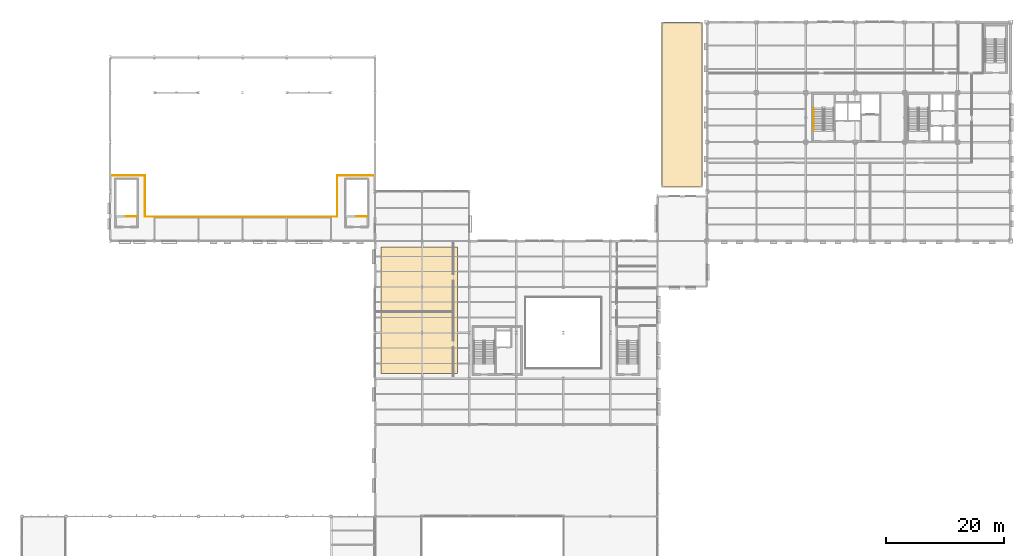
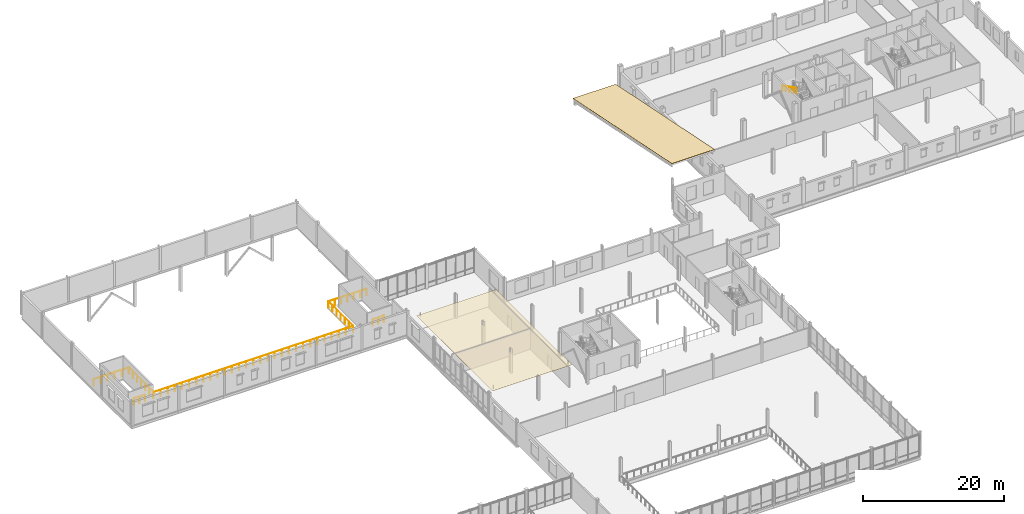
# One storey, part 74 of 75: 4 railings, 2 coverings.
"""IFC4 building model written with IfcOpenShell, lengths in metres."""

from ifc_helpers import new_model, si_unit, direction, frame, origin, origin_2d, place, context, subcontext, project, spatial, polyline, circle, outline, extrude, material, layer, layer_set, type_object, element, save


model = new_model("IFC4")

# Units and contexts
model_context = context("Model", 3, precision=1e-05, world=origin(), true_north=direction((0.0, 1.0)))
body_context = subcontext(model_context, "Body", "Model", "MODEL_VIEW")
ifc_project = project(units=[si_unit("LENGTHUNIT", "METRE"), si_unit("AREAUNIT", "SQUARE_METRE"), si_unit("VOLUMEUNIT", "CUBIC_METRE"), si_unit("PLANEANGLEUNIT", "RADIAN"), si_unit("MASSUNIT", "GRAM", prefix="KILO")], contexts=[model_context])

# Site, building, storey
site_placement = place(None, origin())
site = spatial("IfcSite", under=ifc_project, at=site_placement, CompositionType="ELEMENT")
building_placement = place(site_placement, origin())
building = spatial("IfcBuilding", under=site, at=building_placement, Name="Yukiwa Park Conservatory and Herbarium", CompositionType="ELEMENT")
storey_placement = place(building_placement, frame((0.0, 0.0, 4.800048828125)))
storey = spatial("IfcBuildingStorey", under=building, at=storey_placement, Name="L01", CompositionType="ELEMENT", Elevation=4.800048828125)

# Coverings
ifc_material_1 = material(Name="Acoustic Mineral Fibre Ceiling")
ifc_layer_1 = layer(ifc_material_1, 0.030029296875)
ifc_layer_set_1 = layer_set([ifc_layer_1], Name="Acoustic Mineral Fibre Ceiling")
covering_type_1 = type_object("IfcCoveringType", Name="COV-CEIL-ACOUSTIC", PredefinedType="CEILING", material=ifc_layer_set_1)
covering_1_placement = place(storey_placement, frame((0.0, 0.0, 3.349853515625)))
element("IfcCovering", 1, at=covering_1_placement, inside=storey, type_object=covering_type_1, Name="L01 acoustic suspended ceiling CLG-L01-CLS", PredefinedType="CEILING", context=body_context, shape_type="SweptSolid", body=[
    extrude(outline(polyline([(61.0, 55.5), (74.0, 55.5), (74.0, 77.0), (61.0, 77.0), (61.0, 55.5)])), origin(), (0.0, 0.0, 1.0), 0.030029296875),
])
ifc_material_2 = material(Name="Roofing Membrane and PIR Insulation")
ifc_layer_2 = layer(ifc_material_2, 0.0400390625)
ifc_layer_set_2 = layer_set([ifc_layer_2], Name="Roofing Membrane and PIR Insulation")
covering_type_2 = type_object("IfcCoveringType", Name="COV-ROOF-MEMBRANE", PredefinedType="ROOFING", material=ifc_layer_set_2)
covering_2_placement = place(storey_placement, frame((108.64990234375, 87.14990234375, 6.86279296875), z_axis=(0.0, 0.199365927554, 0.97992511292), x_axis=(1.0, 0.0, 0.0)))
element("IfcCovering", 2, at=covering_2_placement, inside=storey, type_object=covering_type_2, Name="North Service Portal Canopy insulated standing-seam roof covering", PredefinedType="ROOFING", context=body_context, shape_type="SweptSolid", body=[
    extrude(outline(polyline([(0.0, 0.0), (7.0, 0.0), (7.0, 28.624686170715048), (0.0, 28.624686170715048), (0.0, 0.0)])), origin(), (0.0, 0.0, -1.0), 0.0400390625),
])

# Railings
ifc_material_3 = material(Name="Steel Q235B", Category="steel")
ifc_layer_3 = layer(ifc_material_3, 0.050048828125)
ifc_layer_set_3 = layer_set([ifc_layer_3], Name="Steel Q235B")
railing_type_1 = type_object("IfcRailingType", Name="RL-STAIR-GUARD-1120", PredefinedType="BALUSTRADE", material=ifc_layer_set_3)
railing_1_placement = place(storey_placement, frame((19.550048828125, 82.14990234375, 0.0)))
element("IfcRailing", 3, at=railing_1_placement, inside=storey, type_object=railing_type_1, Name="L01 ST-A1 top well guard 1", PredefinedType="BALUSTRADE", context=body_context, shape_type="SweptSolid", body=[
    extrude(circle(Radius=0.02392578125, at=origin_2d()), frame((0.0, 0.0, 1.09619140625), z_axis=(-1.0, 0.0, 0.0), x_axis=(0.0, -1.0, 0.0)), (0.0, 0.0, 1.0), 1.85009765625),
    extrude(circle(Radius=0.02099609375, at=origin_2d()), origin(), (0.0, 0.0, 1.0), 1.072021484375),
    extrude(circle(Radius=0.02099609375, at=origin_2d()), frame((-0.925048828125, 0.0, 0.0)), (0.0, 0.0, 1.0), 1.072021484375),
    extrude(circle(Radius=0.02099609375, at=origin_2d()), frame((-1.85009765625, 0.0, 0.0)), (0.0, 0.0, 1.0), 1.072021484375),
])
railing_2_placement = place(storey_placement, frame((58.64990234375, 82.14990234375, 0.0)))
element("IfcRailing", 4, at=railing_2_placement, inside=storey, type_object=railing_type_1, Name="L01 ST-A2 top well guard 1", PredefinedType="BALUSTRADE", context=body_context, shape_type="SweptSolid", body=[
    extrude(circle(Radius=0.02392578125, at=origin_2d()), frame((0.0, 0.0, 1.09619140625), z_axis=(-1.0, 0.0, 0.0), x_axis=(0.0, -1.0, 0.0)), (0.0, 0.0, 1.0), 1.849853515625),
    extrude(circle(Radius=0.02099609375, at=origin_2d()), origin(), (0.0, 0.0, 1.0), 1.072021484375),
    extrude(circle(Radius=0.02099609375, at=origin_2d()), frame((-0.9248046875, 0.0, 0.0)), (0.0, 0.0, 1.0), 1.072021484375),
    extrude(circle(Radius=0.02099609375, at=origin_2d()), frame((-1.849853515625, 0.0, 0.0)), (0.0, 0.0, 1.0), 1.072021484375),
])
ifc_material_4 = material(Name="Steel Q235B", Category="steel")
ifc_layer_4 = layer(ifc_material_4, 0.044921875)
ifc_layer_set_4 = layer_set([ifc_layer_4], Name="Steel Q235B")
railing_type_2 = type_object("IfcRailingType", Name="RL-STAIR-RAIL-900", PredefinedType="HANDRAIL", material=ifc_layer_set_4)
railing_3_placement = place(storey_placement, frame((134.5400390625, 100.6298828125, 2.25)))
element("IfcRailing", 5, at=railing_3_placement, inside=storey, type_object=railing_type_2, Name="L01 ST-T1 stair handrail 2", PredefinedType="HANDRAIL", context=body_context, shape_type="SweptSolid", body=[
    extrude(circle(Radius=0.02392578125, at=origin_2d()), frame((0.0, 0.0, 0.8759765625), z_axis=(0.0, -0.894427191, 0.4472135955), x_axis=(1.0, 0.0, 0.0)), (0.0, 0.0, 1.0), 4.360107421875),
    extrude(circle(Radius=0.02099609375, at=origin_2d()), origin(), (0.0, 0.0, 1.0), 0.851806640625),
    extrude(circle(Radius=0.02099609375, at=origin_2d()), frame((0.0, -0.97509765625, 0.487548828125)), (0.0, 0.0, 1.0), 0.851806640625),
    extrude(circle(Radius=0.02099609375, at=origin_2d()), frame((0.0, -1.949951171875, 0.97509765625)), (0.0, 0.0, 1.0), 0.851806640625),
    extrude(circle(Radius=0.02099609375, at=origin_2d()), frame((0.0, -2.9248046875, 1.46240234375)), (0.0, 0.0, 1.0), 0.851806640625),
    extrude(circle(Radius=0.02099609375, at=origin_2d()), frame((0.0, -3.89990234375, 1.949951171875)), (0.0, 0.0, 1.0), 0.851806640625),
])
ifc_material_5 = material(Name="Laminated Tempered Safety Glass", Category="glass")
ifc_layer_5 = layer(ifc_material_5, 0.06005859375)
ifc_layer_set_5 = layer_set([ifc_layer_5], Name="Laminated Tempered Safety Glass")
railing_type_3 = type_object("IfcRailingType", Name="RL-VOID-GUARD-1120", PredefinedType="BALUSTRADE", material=ifc_layer_set_5)
railing_4_placement = place(storey_placement, frame((15.14990234375, 89.1201171875, 0.0)))
element("IfcRailing", 6, at=railing_4_placement, inside=storey, type_object=railing_type_3, Name="L01 interior atrium and mezzanine balustrade RL-INT-L01-AUDBALC", PredefinedType="BALUSTRADE", context=body_context, shape_type="SweptSolid", body=[
    extrude(circle(Radius=0.02392578125, at=origin_2d()), frame((0.0, 0.0, 1.09619140625), z_axis=(1.0, 0.0, 0.0), x_axis=(0.0, 1.0, 0.0)), (0.0, 0.0, 1.0), 5.77001953125),
    extrude(circle(Radius=0.02392578125, at=origin_2d()), frame((5.77001953125, 0.0, 1.09619140625), z_axis=(0.0, -1.0, 0.0), x_axis=(1.0, 0.0, 0.0)), (0.0, 0.0, 1.0), 7.0),
    extrude(circle(Radius=0.02392578125, at=origin_2d()), frame((5.77001953125, -7.0, 1.09619140625), z_axis=(1.0, 0.0, 0.0), x_axis=(0.0, 1.0, 0.0)), (0.0, 0.0, 1.0), 32.66015625),
    extrude(circle(Radius=0.02392578125, at=origin_2d()), frame((38.43017578125, -7.0, 1.09619140625), z_axis=(0.0, 1.0, 0.0), x_axis=(-1.0, 0.0, 0.0)), (0.0, 0.0, 1.0), 7.0),
    extrude(circle(Radius=0.02392578125, at=origin_2d()), frame((38.43017578125, 0.0, 1.09619140625), z_axis=(1.0, 0.0, 0.0), x_axis=(0.0, 1.0, 0.0)), (0.0, 0.0, 1.0), 6.27001953125),
    extrude(circle(Radius=0.02099609375, at=origin_2d()), origin(), (0.0, 0.0, 1.0), 1.072021484375),
    extrude(circle(Radius=0.02099609375, at=origin_2d()), frame((1.154052734375, 0.0, 0.0)), (0.0, 0.0, 1.0), 1.072021484375),
    extrude(circle(Radius=0.02099609375, at=origin_2d()), frame((2.30810546875, 0.0, 0.0)), (0.0, 0.0, 1.0), 1.072021484375),
    extrude(circle(Radius=0.02099609375, at=origin_2d()), frame((3.4619140625, 0.0, 0.0)), (0.0, 0.0, 1.0), 1.072021484375),
    extrude(circle(Radius=0.02099609375, at=origin_2d()), frame((4.615966796875, 0.0, 0.0)), (0.0, 0.0, 1.0), 1.072021484375),
    extrude(circle(Radius=0.02099609375, at=origin_2d()), frame((5.77001953125, 0.0, 0.0)), (0.0, 0.0, 1.0), 1.072021484375),
    extrude(circle(Radius=0.02099609375, at=origin_2d()), frame((5.77001953125, -1.166748046875, 0.0)), (0.0, 0.0, 1.0), 1.072021484375),
    extrude(circle(Radius=0.02099609375, at=origin_2d()), frame((5.77001953125, -2.333251953125, 0.0)), (0.0, 0.0, 1.0), 1.072021484375),
    extrude(circle(Radius=0.02099609375, at=origin_2d()), frame((5.77001953125, -3.5, 0.0)), (0.0, 0.0, 1.0), 1.072021484375),
    extrude(circle(Radius=0.02099609375, at=origin_2d()), frame((5.77001953125, -4.666748046875, 0.0)), (0.0, 0.0, 1.0), 1.072021484375),
    extrude(circle(Radius=0.02099609375, at=origin_2d()), frame((5.77001953125, -5.833251953125, 0.0)), (0.0, 0.0, 1.0), 1.072021484375),
    extrude(circle(Radius=0.02099609375, at=origin_2d()), frame((5.77001953125, -7.0, 0.0)), (0.0, 0.0, 1.0), 1.072021484375),
    extrude(circle(Radius=0.02099609375, at=origin_2d()), frame((6.9365234375, -7.0, 0.0)), (0.0, 0.0, 1.0), 1.072021484375),
    extrude(circle(Radius=0.02099609375, at=origin_2d()), frame((8.102783203125, -7.0, 0.0)), (0.0, 0.0, 1.0), 1.072021484375),
    extrude(circle(Radius=0.02099609375, at=origin_2d()), frame((9.269287109375, -7.0, 0.0)), (0.0, 0.0, 1.0), 1.072021484375),
    extrude(circle(Radius=0.02099609375, at=origin_2d()), frame((10.435791015625, -7.0, 0.0)), (0.0, 0.0, 1.0), 1.072021484375),
    extrude(circle(Radius=0.02099609375, at=origin_2d()), frame((11.602294921875, -7.0, 0.0)), (0.0, 0.0, 1.0), 1.072021484375),
    extrude(circle(Radius=0.02099609375, at=origin_2d()), frame((12.7685546875, -7.0, 0.0)), (0.0, 0.0, 1.0), 1.072021484375),
    extrude(circle(Radius=0.02099609375, at=origin_2d()), frame((13.93505859375, -7.0, 0.0)), (0.0, 0.0, 1.0), 1.072021484375),
    extrude(circle(Radius=0.02099609375, at=origin_2d()), frame((15.1015625, -7.0, 0.0)), (0.0, 0.0, 1.0), 1.072021484375),
    extrude(circle(Radius=0.02099609375, at=origin_2d()), frame((16.267822265625, -7.0, 0.0)), (0.0, 0.0, 1.0), 1.072021484375),
    extrude(circle(Radius=0.02099609375, at=origin_2d()), frame((17.434326171875, -7.0, 0.0)), (0.0, 0.0, 1.0), 1.072021484375),
    extrude(circle(Radius=0.02099609375, at=origin_2d()), frame((18.600830078125, -7.0, 0.0)), (0.0, 0.0, 1.0), 1.072021484375),
    extrude(circle(Radius=0.02099609375, at=origin_2d()), frame((19.767333984375, -7.0, 0.0)), (0.0, 0.0, 1.0), 1.072021484375),
    extrude(circle(Radius=0.02099609375, at=origin_2d()), frame((20.93359375, -7.0, 0.0)), (0.0, 0.0, 1.0), 1.072021484375),
    extrude(circle(Radius=0.02099609375, at=origin_2d()), frame((22.10009765625, -7.0, 0.0)), (0.0, 0.0, 1.0), 1.072021484375),
    extrude(circle(Radius=0.02099609375, at=origin_2d()), frame((23.2666015625, -7.0, 0.0)), (0.0, 0.0, 1.0), 1.072021484375),
    extrude(circle(Radius=0.02099609375, at=origin_2d()), frame((24.432861328125, -7.0, 0.0)), (0.0, 0.0, 1.0), 1.072021484375),
    extrude(circle(Radius=0.02099609375, at=origin_2d()), frame((25.599365234375, -7.0, 0.0)), (0.0, 0.0, 1.0), 1.072021484375),
    extrude(circle(Radius=0.02099609375, at=origin_2d()), frame((26.765869140625, -7.0, 0.0)), (0.0, 0.0, 1.0), 1.072021484375),
    extrude(circle(Radius=0.02099609375, at=origin_2d()), frame((27.932373046875, -7.0, 0.0)), (0.0, 0.0, 1.0), 1.072021484375),
    extrude(circle(Radius=0.02099609375, at=origin_2d()), frame((29.0986328125, -7.0, 0.0)), (0.0, 0.0, 1.0), 1.072021484375),
    extrude(circle(Radius=0.02099609375, at=origin_2d()), frame((30.26513671875, -7.0, 0.0)), (0.0, 0.0, 1.0), 1.072021484375),
    extrude(circle(Radius=0.02099609375, at=origin_2d()), frame((31.431640625, -7.0, 0.0)), (0.0, 0.0, 1.0), 1.072021484375),
    extrude(circle(Radius=0.02099609375, at=origin_2d()), frame((32.597900390625, -7.0, 0.0)), (0.0, 0.0, 1.0), 1.072021484375),
    extrude(circle(Radius=0.02099609375, at=origin_2d()), frame((33.764404296875, -7.0, 0.0)), (0.0, 0.0, 1.0), 1.072021484375),
    extrude(circle(Radius=0.02099609375, at=origin_2d()), frame((34.930908203125, -7.0, 0.0)), (0.0, 0.0, 1.0), 1.072021484375),
    extrude(circle(Radius=0.02099609375, at=origin_2d()), frame((36.097412109375, -7.0, 0.0)), (0.0, 0.0, 1.0), 1.072021484375),
    extrude(circle(Radius=0.02099609375, at=origin_2d()), frame((37.263671875, -7.0, 0.0)), (0.0, 0.0, 1.0), 1.072021484375),
    extrude(circle(Radius=0.02099609375, at=origin_2d()), frame((38.43017578125, -7.0, 0.0)), (0.0, 0.0, 1.0), 1.072021484375),
    extrude(circle(Radius=0.02099609375, at=origin_2d()), frame((38.43017578125, -5.833251953125, 0.0)), (0.0, 0.0, 1.0), 1.072021484375),
    extrude(circle(Radius=0.02099609375, at=origin_2d()), frame((38.43017578125, -4.666748046875, 0.0)), (0.0, 0.0, 1.0), 1.072021484375),
    extrude(circle(Radius=0.02099609375, at=origin_2d()), frame((38.43017578125, -3.5, 0.0)), (0.0, 0.0, 1.0), 1.072021484375),
    extrude(circle(Radius=0.02099609375, at=origin_2d()), frame((38.43017578125, -2.333251953125, 0.0)), (0.0, 0.0, 1.0), 1.072021484375),
    extrude(circle(Radius=0.02099609375, at=origin_2d()), frame((38.43017578125, -1.166748046875, 0.0)), (0.0, 0.0, 1.0), 1.072021484375),
    extrude(circle(Radius=0.02099609375, at=origin_2d()), frame((38.43017578125, 0.0, 0.0)), (0.0, 0.0, 1.0), 1.072021484375),
    extrude(circle(Radius=0.02099609375, at=origin_2d()), frame((39.47509765625, 0.0, 0.0)), (0.0, 0.0, 1.0), 1.072021484375),
    extrude(circle(Radius=0.02099609375, at=origin_2d()), frame((40.520263671875, 0.0, 0.0)), (0.0, 0.0, 1.0), 1.072021484375),
    extrude(circle(Radius=0.02099609375, at=origin_2d()), frame((41.565185546875, 0.0, 0.0)), (0.0, 0.0, 1.0), 1.072021484375),
    extrude(circle(Radius=0.02099609375, at=origin_2d()), frame((42.610107421875, 0.0, 0.0)), (0.0, 0.0, 1.0), 1.072021484375),
    extrude(circle(Radius=0.02099609375, at=origin_2d()), frame((43.6552734375, 0.0, 0.0)), (0.0, 0.0, 1.0), 1.072021484375),
    extrude(circle(Radius=0.02099609375, at=origin_2d()), frame((44.7001953125, 0.0, 0.0)), (0.0, 0.0, 1.0), 1.072021484375),
])

save(model, "model.ifc")
